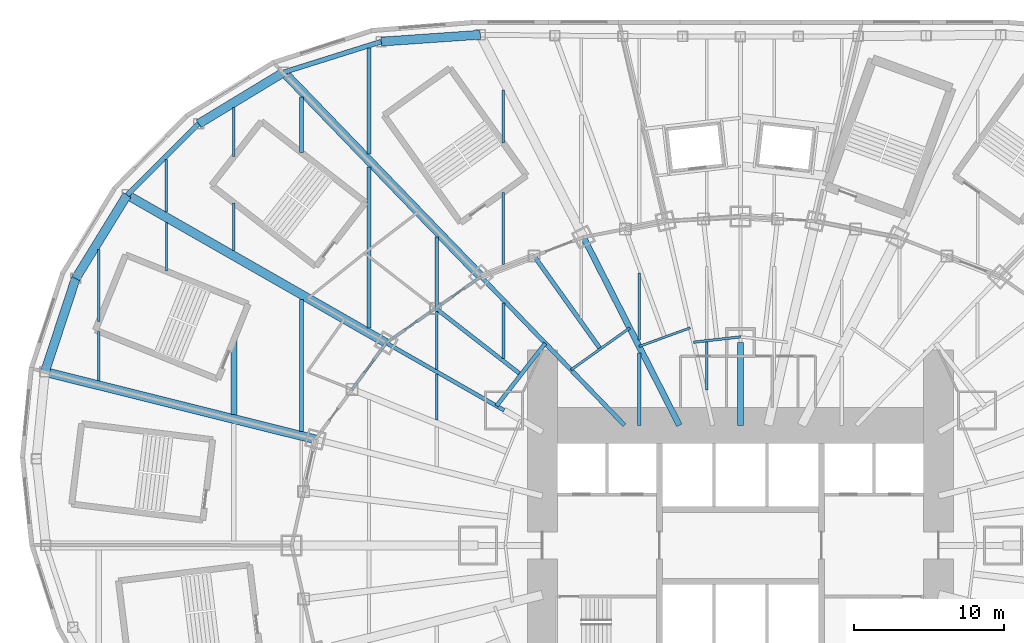
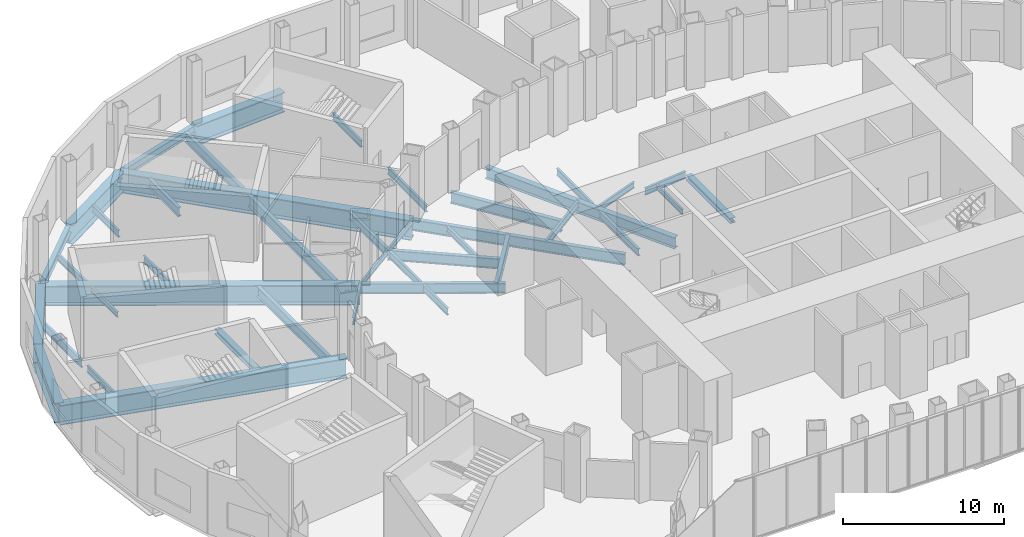
# One storey, part 6 of 73: 42 beams.
"""IFC4 building model written with IfcOpenShell, lengths in metres."""

from ifc_helpers import new_model, si_unit, direction, frame, origin, origin_2d, place, context, subcontext, project, spatial, i_section, extrude, material, material_profile, profile_set, type_object, element, save


model = new_model("IFC4")

# Units and contexts
model_context = context("Model", 3, precision=1e-05, world=origin(), true_north=direction((0.0, 1.0)))
body_context = subcontext(model_context, "Body", "Model", "MODEL_VIEW")
ifc_project = project(units=[si_unit("LENGTHUNIT", "METRE"), si_unit("AREAUNIT", "SQUARE_METRE"), si_unit("VOLUMEUNIT", "CUBIC_METRE"), si_unit("PLANEANGLEUNIT", "RADIAN"), si_unit("MASSUNIT", "GRAM", prefix="KILO")], contexts=[model_context])

# Site, building, storey
site_placement = place(None, origin())
site = spatial("IfcSite", under=ifc_project, at=site_placement, CompositionType="ELEMENT")
building_placement = place(site_placement, origin())
building = spatial("IfcBuilding", under=site, at=building_placement, Name="Lantaw Convention Tower", CompositionType="ELEMENT")
storey_placement = place(building_placement, frame((0.0, 0.0, 27.0)))
storey = spatial("IfcBuildingStorey", under=building, at=storey_placement, Name="L04", CompositionType="ELEMENT", Elevation=27.0)

# Beams
ifc_material_1 = material(Name="Steel ASTM A572 Grade 50", Category="steel")
ifc_material_profile_1 = material_profile(ifc_material_1, i_section(OverallWidth=0.60009765625, OverallDepth=1.5, WebThickness=0.02490234375, FlangeThickness=0.06005859375, at=origin_2d()), Name="PG1500X600X25X60")
ifc_profile_set_1 = profile_set([ifc_material_profile_1], Name="Steel ASTM A572 Grade 50")
beam_type_1 = type_object("IfcBeamType", Name="Beam E PG1500X600X25X60", PredefinedType="SPANDREL", material=ifc_profile_set_1)
beam_1_placement = place(storey_placement, frame((-17.333984375, 34.019775390625, -0.949951171875), z_axis=(-0.997615470709, -0.069017190627, 0.0), x_axis=(0.069017190627, -0.997615470709, 0.0)))
element("IfcBeam", 1, at=beam_1_placement, inside=storey, type_object=beam_type_1, Name="Podium edge beam R08", PredefinedType="SPANDREL", context=body_context, shape_type="SweptSolid", body=[
    extrude(i_section(OverallWidth=0.60009765625, OverallDepth=1.5, WebThickness=0.02490234375, FlangeThickness=0.06005859375, at=origin_2d()), origin(), (0.0, 0.0, 1.0), 6.6220703125),
])
beam_2_placement = place(storey_placement, frame((-30.43603515625, 31.517578125, -0.949951171875), z_axis=(-0.855269526547, -0.518183400893, 0.0), x_axis=(0.518183400893, -0.855269526547, 0.0)))
element("IfcBeam", 2, at=beam_2_placement, inside=storey, type_object=beam_type_1, Name="Podium edge beam R09", PredefinedType="SPANDREL", context=body_context, shape_type="SweptSolid", body=[
    extrude(i_section(OverallWidth=0.60009765625, OverallDepth=1.5, WebThickness=0.02490234375, FlangeThickness=0.06005859375, at=origin_2d()), origin(), (0.0, 0.0, 1.0), 6.63134765625),
])
beam_3_placement = place(storey_placement, frame((-40.864013671875, 23.350830078125, -0.949951171875), z_axis=(-0.524178644867, -0.851608330317, 0.0), x_axis=(0.851608330317, -0.524178644867, 0.0)))
element("IfcBeam", 3, at=beam_3_placement, inside=storey, type_object=beam_type_1, Name="Podium edge beam R10", PredefinedType="SPANDREL", context=body_context, shape_type="SweptSolid", body=[
    extrude(i_section(OverallWidth=0.60009765625, OverallDepth=1.5, WebThickness=0.02490234375, FlangeThickness=0.06005859375, at=origin_2d()), origin(), (0.0, 0.0, 1.0), 6.54052734375),
])
beam_4_placement = place(storey_placement, frame((-44.29248046875, 17.78076171875, -0.949951171875), z_axis=(-0.312739573604, -0.949838912186, 0.0), x_axis=(0.949838912186, -0.312739573604, 0.0)))
element("IfcBeam", 4, at=beam_4_placement, inside=storey, type_object=beam_type_1, Name="Podium edge beam B10", PredefinedType="SPANDREL", context=body_context, shape_type="SweptSolid", body=[
    extrude(i_section(OverallWidth=0.60009765625, OverallDepth=1.5, WebThickness=0.02490234375, FlangeThickness=0.06005859375, at=origin_2d()), origin(), (0.0, 0.0, 1.0), 6.55517578125),
])
ifc_material_2 = material(Name="Steel ASTM A992", Category="steel")
ifc_material_profile_2 = material_profile(ifc_material_2, i_section(OverallWidth=0.140380859375, OverallDepth=0.40380859375, WebThickness=0.007080078125, FlangeThickness=0.01123046875, FilletRadius=0.01025390625, at=origin_2d()), Name="W16X31")
ifc_profile_set_2 = profile_set([ifc_material_profile_2], Name="Steel ASTM A992")
beam_type_2 = type_object("IfcBeamType", Name="Beam E W16X31", PredefinedType="SPANDREL", material=ifc_profile_set_2)
beam_5_placement = place(storey_placement, frame((-17.290771484375, 17.9052734375, -0.40185546875), z_axis=(-0.819409395821, -0.573208724672, 0.0), x_axis=(0.573208724672, -0.819409395821, 0.0)))
element("IfcBeam", 5, at=beam_5_placement, inside=storey, type_object=beam_type_2, Name="Edge beam 10", PredefinedType="SPANDREL", context=body_context, shape_type="SweptSolid", body=[
    extrude(i_section(OverallWidth=0.140380859375, OverallDepth=0.40380859375, WebThickness=0.007080078125, FlangeThickness=0.01123046875, FilletRadius=0.01025390625, at=origin_2d()), origin(), (0.0, 0.0, 1.0), 3.682861328125),
])
beam_6_placement = place(storey_placement, frame((-20.30859375, 15.794189453125, -0.40185546875), z_axis=(-0.819442856133, -0.573160889744, 0.0), x_axis=(0.573160889744, -0.819442856133, 0.0)))
element("IfcBeam", 6, at=beam_6_placement, inside=storey, type_object=beam_type_2, Name="Edge beam 10", PredefinedType="SPANDREL", context=body_context, shape_type="SweptSolid", body=[
    extrude(i_section(OverallWidth=0.140380859375, OverallDepth=0.40380859375, WebThickness=0.007080078125, FlangeThickness=0.01123046875, FilletRadius=0.01025390625, at=origin_2d()), origin(), (0.0, 0.0, 1.0), 4.022705078125),
])
ifc_material_profile_3 = material_profile(ifc_material_2, i_section(OverallWidth=0.1650390625, OverallDepth=0.52587890625, WebThickness=0.0087890625, FlangeThickness=0.011474609375, FilletRadius=0.0126953125, at=origin_2d()), Name="W21X44")
ifc_profile_set_3 = profile_set([ifc_material_profile_3], Name="Steel ASTM A992")
beam_type_3 = type_object("IfcBeamType", Name="Beam E W21X44", PredefinedType="SPANDREL", material=ifc_profile_set_3)
beam_7_placement = place(storey_placement, frame((-23.60498046875, 13.488525390625, -0.462890625), z_axis=(-0.591286566758, -0.806461527893, 0.0), x_axis=(0.806461527893, -0.591286566758, 0.0)))
element("IfcBeam", 7, at=beam_7_placement, inside=storey, type_object=beam_type_3, Name="Edge beam 11", PredefinedType="SPANDREL", context=body_context, shape_type="SweptSolid", body=[
    extrude(i_section(OverallWidth=0.1650390625, OverallDepth=0.52587890625, WebThickness=0.0087890625, FlangeThickness=0.011474609375, FilletRadius=0.0126953125, at=origin_2d()), origin(), (0.0, 0.0, 1.0), 3.843994140625),
])
ifc_material_profile_4 = material_profile(ifc_material_2, i_section(OverallWidth=0.3251953125, OverallDepth=0.612060546875, WebThickness=0.0126953125, FlangeThickness=0.01904296875, FilletRadius=0.0126953125, at=origin_2d()), Name="W24X104")
ifc_profile_set_4 = profile_set([ifc_material_profile_4], Name="Steel ASTM A992")
beam_type_4 = type_object("IfcBeamType", Name="Beam E W24X104", PredefinedType="SPANDREL", material=ifc_profile_set_4)
beam_8_placement = place(storey_placement, frame((-23.940185546875, 33.562744140625, -0.506103515625), z_axis=(-0.953841834513, -0.300309431643, 0.0), x_axis=(0.300309431643, -0.953841834513, 0.0)))
element("IfcBeam", 8, at=beam_8_placement, inside=storey, type_object=beam_type_4, Name="Podium edge beam B08", PredefinedType="SPANDREL", context=body_context, shape_type="SweptSolid", body=[
    extrude(i_section(OverallWidth=0.3251953125, OverallDepth=0.612060546875, WebThickness=0.0126953125, FlangeThickness=0.01904296875, FilletRadius=0.0126953125, at=origin_2d()), origin(), (0.0, 0.0, 1.0), 6.810302734375),
])
beam_9_placement = place(storey_placement, frame((-36.107666015625, 28.081298828125, -0.506103515625), z_axis=(-0.709033046271, -0.705175254314, 0.0), x_axis=(0.705175254314, -0.709033046271, 0.0)))
element("IfcBeam", 9, at=beam_9_placement, inside=storey, type_object=beam_type_4, Name="Podium edge beam B09", PredefinedType="SPANDREL", context=body_context, shape_type="SweptSolid", body=[
    extrude(i_section(OverallWidth=0.3251953125, OverallDepth=0.612060546875, WebThickness=0.0126953125, FlangeThickness=0.01904296875, FilletRadius=0.0126953125, at=origin_2d()), origin(), (0.0, 0.0, 1.0), 6.708251953125),
])
ifc_material_profile_5 = material_profile(ifc_material_2, i_section(OverallWidth=0.2666015625, OverallDepth=0.76953125, WebThickness=0.015625, FlangeThickness=0.025390625, FilletRadius=0.0126953125, at=origin_2d()), Name="W30X132")
ifc_profile_set_5 = profile_set([ifc_material_profile_5], Name="Steel ASTM A992")
beam_type_5 = type_object("IfcBeamType", Name="Beam G W30X132", PredefinedType="BEAM", material=ifc_profile_set_5)
beam_10_placement = place(storey_placement, frame((-14.628173828125, 11.37646484375, -0.584716796875), z_axis=(-0.789377792374, 0.613907729961, 0.0), x_axis=(-0.613907729961, -0.789377792374, 0.0)))
element("IfcBeam", 10, at=beam_10_placement, inside=storey, type_object=beam_type_5, Name="Floor girder on bisector 10", PredefinedType="BEAM", context=body_context, shape_type="SweptSolid", body=[
    extrude(i_section(OverallWidth=0.2666015625, OverallDepth=0.76953125, WebThickness=0.015625, FlangeThickness=0.025390625, FilletRadius=0.0126953125, at=origin_2d()), origin(), (0.0, 0.0, 1.0), 7.196044921875),
])
beam_11_placement = place(storey_placement, frame((-15.75, 9.0, -0.584716796875), z_axis=(-0.868244802791, 0.496136032179, 0.0), x_axis=(-0.496136032179, -0.868244802791, 0.0)))
element("IfcBeam", 11, at=beam_11_placement, inside=storey, type_object=beam_type_5, Name="Floor girder on ray 11", PredefinedType="BEAM", context=body_context, shape_type="SweptSolid", body=[
    extrude(i_section(OverallWidth=0.2666015625, OverallDepth=0.76953125, WebThickness=0.015625, FlangeThickness=0.025390625, FilletRadius=0.0126953125, at=origin_2d()), origin(), (0.0, 0.0, 1.0), 9.046875),
])
ifc_material_profile_6 = material_profile(ifc_material_2, i_section(OverallWidth=0.2919921875, OverallDepth=0.845703125, WebThickness=0.015380859375, FlangeThickness=0.0244140625, FilletRadius=0.01513671875, at=origin_2d()), Name="W33X141")
ifc_profile_set_6 = profile_set([ifc_material_profile_6], Name="Steel ASTM A992")
beam_type_6 = type_object("IfcBeamType", Name="Beam G W33X141", PredefinedType="BEAM", material=ifc_profile_set_6)
beam_12_placement = place(storey_placement, frame((-9.335693359375, 13.088134765625, -0.622802734375), z_axis=(-0.580702805158, 0.814115625745, 0.0), x_axis=(-0.814115625745, -0.580702805158, 0.0)))
element("IfcBeam", 12, at=beam_12_placement, inside=storey, type_object=beam_type_6, Name="Floor girder on bisector 9", PredefinedType="BEAM", context=body_context, shape_type="SweptSolid", body=[
    extrude(i_section(OverallWidth=0.2919921875, OverallDepth=0.845703125, WebThickness=0.015380859375, FlangeThickness=0.0244140625, FilletRadius=0.01513671875, at=origin_2d()), origin(), (0.0, 0.0, 1.0), 7.59375),
])
beam_13_placement = place(storey_placement, frame((-7.7255859375, 8.0, -0.622802734375), z_axis=(-0.694649884291, 0.719347995239, 0.0), x_axis=(-0.719347995239, -0.694649884291, 0.0)))
element("IfcBeam", 13, at=beam_13_placement, inside=storey, type_object=beam_type_6, Name="Floor girder on ray 10", PredefinedType="BEAM", context=body_context, shape_type="SweptSolid", body=[
    extrude(i_section(OverallWidth=0.2919921875, OverallDepth=0.845703125, WebThickness=0.015380859375, FlangeThickness=0.0244140625, FilletRadius=0.01513671875, at=origin_2d()), origin(), (0.0, 0.0, 1.0), 13.769775390625),
])
ifc_material_profile_7 = material_profile(ifc_material_2, i_section(OverallWidth=0.398681640625, OverallDepth=0.85595703125, WebThickness=0.01806640625, FlangeThickness=0.029296875, FilletRadius=0.016357421875, at=origin_2d()), Name="W33X201")
ifc_profile_set_7 = profile_set([ifc_material_profile_7], Name="Steel ASTM A992")
beam_type_7 = type_object("IfcBeamType", Name="Beam G W33X201", PredefinedType="BEAM", material=ifc_profile_set_7)
beam_14_placement = place(storey_placement, frame((-4.076171875, 8.0, -0.6279296875), z_axis=(-0.453997016122, 0.891003203896, 0.0), x_axis=(-0.891003203896, -0.453997016122, 0.0)))
element("IfcBeam", 14, at=beam_14_placement, inside=storey, type_object=beam_type_7, Name="Floor girder on ray 9", PredefinedType="BEAM", context=body_context, shape_type="SweptSolid", body=[
    extrude(i_section(OverallWidth=0.398681640625, OverallDepth=0.85595703125, WebThickness=0.01806640625, FlangeThickness=0.029296875, FilletRadius=0.016357421875, at=origin_2d()), origin(), (0.0, 0.0, 1.0), 14.067138671875),
])
ifc_material_profile_8 = material_profile(ifc_material_2, i_section(OverallWidth=0.40380859375, OverallDepth=0.406494140625, WebThickness=0.027099609375, FlangeThickness=0.043701171875, FilletRadius=0.01513671875, at=origin_2d()), Name="W14X233")
ifc_profile_set_8 = profile_set([ifc_material_profile_8], Name="Steel ASTM A992")
beam_type_8 = type_object("IfcBeamType", Name="Beam GM W14X233", PredefinedType="BEAM", material=ifc_profile_set_8)
beam_15_placement = place(storey_placement, frame((0.0, 8.0, -0.4033203125), z_axis=(0.0, 1.0, 0.0), x_axis=(-1.0, 0.0, 0.0)))
element("IfcBeam", 15, at=beam_15_placement, inside=storey, type_object=beam_type_8, Name="Core link beam on ray 7", PredefinedType="BEAM", context=body_context, shape_type="SweptSolid", body=[
    extrude(i_section(OverallWidth=0.40380859375, OverallDepth=0.406494140625, WebThickness=0.027099609375, FlangeThickness=0.043701171875, FilletRadius=0.01513671875, at=origin_2d()), origin(), (0.0, 0.0, 1.0), 5.5),
])
ifc_material_profile_9 = material_profile(ifc_material_2, i_section(OverallWidth=0.15234375, OverallDepth=0.449462890625, WebThickness=0.007568359375, FlangeThickness=0.0107421875, FilletRadius=0.01025390625, at=origin_2d()), Name="W18X35")
ifc_profile_set_9 = profile_set([ifc_material_profile_9], Name="Steel ASTM A992")
beam_type_9 = type_object("IfcBeamType", Name="Beam HC W18X35", PredefinedType="BEAM", material=ifc_profile_set_9)
beam_16_placement = place(storey_placement, frame((-3.345947265625, 14.4931640625, -0.4248046875), z_axis=(-0.939689171859, -0.342029619025, 0.0), x_axis=(0.342029619025, -0.939689171859, 0.0)))
element("IfcBeam", 16, at=beam_16_placement, inside=storey, type_object=beam_type_9, Name="Collar beam on bisector 8", PredefinedType="BEAM", context=body_context, shape_type="SweptSolid", body=[
    extrude(i_section(OverallWidth=0.15234375, OverallDepth=0.449462890625, WebThickness=0.007568359375, FlangeThickness=0.0107421875, FilletRadius=0.01025390625, at=origin_2d()), origin(), (0.0, 0.0, 1.0), 3.62548828125),
])
ifc_material_profile_10 = material_profile(ifc_material_2, i_section(OverallWidth=0.1650390625, OverallDepth=0.52587890625, WebThickness=0.0087890625, FlangeThickness=0.011474609375, FilletRadius=0.0126953125, at=origin_2d()), Name="W21X44")
ifc_profile_set_10 = profile_set([ifc_material_profile_10], Name="Steel ASTM A992")
beam_type_10 = type_object("IfcBeamType", Name="Beam HC W21X44", PredefinedType="BEAM", material=ifc_profile_set_10)
beam_17_placement = place(storey_placement, frame((-7.379638671875, 14.4833984375, -0.462890625), z_axis=(-0.814110909588, -0.580709416912, 0.0), x_axis=(0.580709416912, -0.814110909588, 0.0)))
element("IfcBeam", 17, at=beam_17_placement, inside=storey, type_object=beam_type_10, Name="Collar beam on bisector 9", PredefinedType="BEAM", context=body_context, shape_type="SweptSolid", body=[
    extrude(i_section(OverallWidth=0.1650390625, OverallDepth=0.52587890625, WebThickness=0.0087890625, FlangeThickness=0.011474609375, FilletRadius=0.0126953125, at=origin_2d()), origin(), (0.0, 0.0, 1.0), 4.805419921875),
])
ifc_material_profile_11 = material_profile(ifc_material_2, i_section(OverallWidth=0.165771484375, OverallDepth=0.5283203125, WebThickness=0.009765625, FlangeThickness=0.013671875, FilletRadius=0.012939453125, at=origin_2d()), Name="W21X50")
ifc_profile_set_11 = profile_set([ifc_material_profile_11], Name="Steel ASTM A992")
beam_type_11 = type_object("IfcBeamType", Name="Beam HC W21X50", PredefinedType="BEAM", material=ifc_profile_set_11)
beam_18_placement = place(storey_placement, frame((0.0, 13.89111328125, -0.464111328125), z_axis=(-0.99356540907, -0.113259780595, 0.0), x_axis=(0.113259780595, -0.99356540907, 0.0)))
element("IfcBeam", 18, at=beam_18_placement, inside=storey, type_object=beam_type_11, Name="Collar beam on bisector 7", PredefinedType="BEAM", context=body_context, shape_type="SweptSolid", body=[
    extrude(i_section(OverallWidth=0.165771484375, OverallDepth=0.5283203125, WebThickness=0.009765625, FlangeThickness=0.013671875, FilletRadius=0.012939453125, at=origin_2d()), origin(), (0.0, 0.0, 1.0), 3.14501953125),
])
ifc_material_profile_12 = material_profile(ifc_material_2, i_section(OverallWidth=0.2666015625, OverallDepth=0.76953125, WebThickness=0.015625, FlangeThickness=0.025390625, FilletRadius=0.0126953125, at=origin_2d()), Name="W30X132")
ifc_profile_set_12 = profile_set([ifc_material_profile_12], Name="Steel ASTM A992")
beam_type_12 = type_object("IfcBeamType", Name="Beam HC W30X132", PredefinedType="BEAM", material=ifc_profile_set_12)
beam_19_placement = place(storey_placement, frame((-13.00341796875, 13.465576171875, -0.584716796875), z_axis=(-0.613915067401, -0.789372085913, 0.0), x_axis=(0.789372085913, -0.613915067401, 0.0)))
element("IfcBeam", 19, at=beam_19_placement, inside=storey, type_object=beam_type_12, Name="Collar beam on bisector 10", PredefinedType="BEAM", context=body_context, shape_type="SweptSolid", body=[
    extrude(i_section(OverallWidth=0.2666015625, OverallDepth=0.76953125, WebThickness=0.015625, FlangeThickness=0.025390625, FilletRadius=0.0126953125, at=origin_2d()), origin(), (0.0, 0.0, 1.0), 5.293212890625),
])
ifc_material_profile_13 = material_profile(ifc_material_2, i_section(OverallWidth=0.40380859375, OverallDepth=0.406494140625, WebThickness=0.027099609375, FlangeThickness=0.043701171875, FilletRadius=0.01513671875, at=origin_2d()), Name="W14X233")
ifc_profile_set_13 = profile_set([ifc_material_profile_13], Name="Steel ASTM A992")
beam_type_13 = type_object("IfcBeamType", Name="Beam J W14X233", PredefinedType="JOIST", material=ifc_profile_set_13)
beam_20_placement = place(storey_placement, frame((-33.75, 8.72412109375, -0.4033203125), z_axis=(0.0, 1.0, 0.0), x_axis=(-1.0, 0.0, 0.0)))
element("IfcBeam", 20, at=beam_20_placement, inside=storey, type_object=beam_type_13, Name="Floor joist", PredefinedType="JOIST", context=body_context, shape_type="SweptSolid", body=[
    extrude(i_section(OverallWidth=0.40380859375, OverallDepth=0.406494140625, WebThickness=0.027099609375, FlangeThickness=0.043701171875, FilletRadius=0.01513671875, at=origin_2d()), origin(), (0.0, 0.0, 1.0), 4.986328125),
])
ifc_material_profile_14 = material_profile(ifc_material_2, i_section(OverallWidth=0.140380859375, OverallDepth=0.40380859375, WebThickness=0.007080078125, FlangeThickness=0.01123046875, FilletRadius=0.01025390625, at=origin_2d()), Name="W16X31")
ifc_profile_set_14 = profile_set([ifc_material_profile_14], Name="Steel ASTM A992")
beam_type_14 = type_object("IfcBeamType", Name="Beam J W16X31", PredefinedType="JOIST", material=ifc_profile_set_14)
beam_21_placement = place(storey_placement, frame((-38.25, 18.264404296875, -0.40185546875), z_axis=(0.0, 1.0, 0.0), x_axis=(-1.0, 0.0, 0.0)))
element("IfcBeam", 21, at=beam_21_placement, inside=storey, type_object=beam_type_14, Name="Floor joist", PredefinedType="JOIST", context=body_context, shape_type="SweptSolid", body=[
    extrude(i_section(OverallWidth=0.140380859375, OverallDepth=0.40380859375, WebThickness=0.007080078125, FlangeThickness=0.01123046875, FilletRadius=0.01025390625, at=origin_2d()), origin(), (0.0, 0.0, 1.0), 3.247314453125),
])
beam_22_placement = place(storey_placement, frame((-2.25, 10.338623046875, -0.40185546875), z_axis=(0.0, 1.0, 0.0), x_axis=(-1.0, 0.0, 0.0)))
element("IfcBeam", 22, at=beam_22_placement, inside=storey, type_object=beam_type_14, Name="Floor joist", PredefinedType="JOIST", context=body_context, shape_type="SweptSolid", body=[
    extrude(i_section(OverallWidth=0.140380859375, OverallDepth=0.40380859375, WebThickness=0.007080078125, FlangeThickness=0.01123046875, FilletRadius=0.01025390625, at=origin_2d()), origin(), (0.0, 0.0, 1.0), 3.212646484375),
])
ifc_material_profile_15 = material_profile(ifc_material_2, i_section(OverallWidth=0.1904296875, OverallDepth=0.457275390625, WebThickness=0.009033203125, FlangeThickness=0.014404296875, FilletRadius=0.01025390625, at=origin_2d()), Name="W18X50")
ifc_profile_set_15 = profile_set([ifc_material_profile_15], Name="Steel ASTM A992")
beam_type_15 = type_object("IfcBeamType", Name="Beam J W18X50", PredefinedType="JOIST", material=ifc_profile_set_15)
beam_23_placement = place(storey_placement, frame((-15.800048828125, 12.456787109375, -0.4287109375), z_axis=(0.0, 1.0, 0.0), x_axis=(-1.0, 0.0, 0.0)))
element("IfcBeam", 23, at=beam_23_placement, inside=storey, type_object=beam_type_15, Name="Floor joist", PredefinedType="JOIST", context=body_context, shape_type="SweptSolid", body=[
    extrude(i_section(OverallWidth=0.1904296875, OverallDepth=0.457275390625, WebThickness=0.009033203125, FlangeThickness=0.014404296875, FilletRadius=0.01025390625, at=origin_2d()), origin(), (0.0, 0.0, 1.0), 3.6943359375),
])
ifc_material_profile_16 = material_profile(ifc_material_2, i_section(OverallWidth=0.1650390625, OverallDepth=0.52587890625, WebThickness=0.0087890625, FlangeThickness=0.011474609375, FilletRadius=0.0126953125, at=origin_2d()), Name="W21X44")
ifc_profile_set_16 = profile_set([ifc_material_profile_16], Name="Steel ASTM A992")
beam_type_16 = type_object("IfcBeamType", Name="Beam J W21X44", PredefinedType="JOIST", material=ifc_profile_set_16)
beam_24_placement = place(storey_placement, frame((-42.75, 10.968017578125, -0.462890625), z_axis=(0.0, 1.0, 0.0), x_axis=(-1.0, 0.0, 0.0)))
element("IfcBeam", 24, at=beam_24_placement, inside=storey, type_object=beam_type_16, Name="Floor joist", PredefinedType="JOIST", context=body_context, shape_type="SweptSolid", body=[
    extrude(i_section(OverallWidth=0.1650390625, OverallDepth=0.52587890625, WebThickness=0.0087890625, FlangeThickness=0.011474609375, FilletRadius=0.0126953125, at=origin_2d()), origin(), (0.0, 0.0, 1.0), 3.2841796875),
])
beam_25_placement = place(storey_placement, frame((-38.25, 22.20263671875, -0.462890625), z_axis=(0.0, 1.0, 0.0), x_axis=(-1.0, 0.0, 0.0)))
element("IfcBeam", 25, at=beam_25_placement, inside=storey, type_object=beam_type_16, Name="Floor joist", PredefinedType="JOIST", context=body_context, shape_type="SweptSolid", body=[
    extrude(i_section(OverallWidth=0.1650390625, OverallDepth=0.52587890625, WebThickness=0.0087890625, FlangeThickness=0.011474609375, FilletRadius=0.0126953125, at=origin_2d()), origin(), (0.0, 0.0, 1.0), 3.518798828125),
])
beam_26_placement = place(storey_placement, frame((-33.75, 19.63134765625, -0.462890625), z_axis=(0.0, 1.0, 0.0), x_axis=(-1.0, 0.0, 0.0)))
element("IfcBeam", 26, at=beam_26_placement, inside=storey, type_object=beam_type_16, Name="Floor joist", PredefinedType="JOIST", context=body_context, shape_type="SweptSolid", body=[
    extrude(i_section(OverallWidth=0.1650390625, OverallDepth=0.52587890625, WebThickness=0.0087890625, FlangeThickness=0.011474609375, FilletRadius=0.0126953125, at=origin_2d()), origin(), (0.0, 0.0, 1.0), 3.19580078125),
])
beam_27_placement = place(storey_placement, frame((-33.75, 25.900390625, -0.462890625), z_axis=(0.0, 1.0, 0.0), x_axis=(-1.0, 0.0, 0.0)))
element("IfcBeam", 27, at=beam_27_placement, inside=storey, type_object=beam_type_16, Name="Floor joist", PredefinedType="JOIST", context=body_context, shape_type="SweptSolid", body=[
    extrude(i_section(OverallWidth=0.1650390625, OverallDepth=0.52587890625, WebThickness=0.0087890625, FlangeThickness=0.011474609375, FilletRadius=0.0126953125, at=origin_2d()), origin(), (0.0, 0.0, 1.0), 3.258544921875),
])
beam_28_placement = place(storey_placement, frame((-20.25, 8.3564453125, -0.462890625), z_axis=(0.0, 1.0, 0.0), x_axis=(-1.0, 0.0, 0.0)))
element("IfcBeam", 28, at=beam_28_placement, inside=storey, type_object=beam_type_16, Name="Floor joist", PredefinedType="JOIST", context=body_context, shape_type="SweptSolid", body=[
    extrude(i_section(OverallWidth=0.1650390625, OverallDepth=0.52587890625, WebThickness=0.0087890625, FlangeThickness=0.011474609375, FilletRadius=0.0126953125, at=origin_2d()), origin(), (0.0, 0.0, 1.0), 3.0615234375),
])
beam_29_placement = place(storey_placement, frame((-6.75, 13.693359375, -0.462890625), z_axis=(0.0, 1.0, 0.0), x_axis=(-1.0, 0.0, 0.0)))
element("IfcBeam", 29, at=beam_29_placement, inside=storey, type_object=beam_type_16, Name="Floor joist", PredefinedType="JOIST", context=body_context, shape_type="SweptSolid", body=[
    extrude(i_section(OverallWidth=0.1650390625, OverallDepth=0.52587890625, WebThickness=0.0087890625, FlangeThickness=0.011474609375, FilletRadius=0.0126953125, at=origin_2d()), origin(), (0.0, 0.0, 1.0), 4.462158203125),
])
ifc_material_profile_17 = material_profile(ifc_material_2, i_section(OverallWidth=0.165771484375, OverallDepth=0.5283203125, WebThickness=0.009765625, FlangeThickness=0.013671875, FilletRadius=0.012939453125, at=origin_2d()), Name="W21X50")
ifc_profile_set_17 = profile_set([ifc_material_profile_17], Name="Steel ASTM A992")
beam_type_17 = type_object("IfcBeamType", Name="Beam J W21X50", PredefinedType="JOIST", material=ifc_profile_set_17)
beam_30_placement = place(storey_placement, frame((-15.800048828125, 18.702392578125, -0.464111328125), z_axis=(0.0, 1.0, 0.0), x_axis=(-1.0, 0.0, 0.0)))
element("IfcBeam", 30, at=beam_30_placement, inside=storey, type_object=beam_type_17, Name="Floor joist", PredefinedType="JOIST", context=body_context, shape_type="SweptSolid", body=[
    extrude(i_section(OverallWidth=0.165771484375, OverallDepth=0.5283203125, WebThickness=0.009765625, FlangeThickness=0.013671875, FilletRadius=0.012939453125, at=origin_2d()), origin(), (0.0, 0.0, 1.0), 4.8212890625),
])
beam_31_placement = place(storey_placement, frame((-15.800048828125, 26.80029296875, -0.464111328125), z_axis=(0.0, 1.0, 0.0), x_axis=(-1.0, 0.0, 0.0)))
element("IfcBeam", 31, at=beam_31_placement, inside=storey, type_object=beam_type_17, Name="Floor joist", PredefinedType="JOIST", context=body_context, shape_type="SweptSolid", body=[
    extrude(i_section(OverallWidth=0.165771484375, OverallDepth=0.5283203125, WebThickness=0.009765625, FlangeThickness=0.013671875, FilletRadius=0.012939453125, at=origin_2d()), origin(), (0.0, 0.0, 1.0), 3.548095703125),
])
ifc_material_profile_18 = material_profile(ifc_material_2, i_section(OverallWidth=0.16650390625, OverallDepth=0.535888671875, WebThickness=0.01025390625, FlangeThickness=0.0166015625, FilletRadius=0.0126953125, at=origin_2d()), Name="W21X57")
ifc_profile_set_18 = profile_set([ifc_material_profile_18], Name="Steel ASTM A992")
beam_type_18 = type_object("IfcBeamType", Name="Beam J W21X57", PredefinedType="JOIST", material=ifc_profile_set_18)
beam_32_placement = place(storey_placement, frame((-20.25, 11.72509765625, -0.468017578125), z_axis=(0.0, 1.0, 0.0), x_axis=(-1.0, 0.0, 0.0)))
element("IfcBeam", 32, at=beam_32_placement, inside=storey, type_object=beam_type_18, Name="Floor joist", PredefinedType="JOIST", context=body_context, shape_type="SweptSolid", body=[
    extrude(i_section(OverallWidth=0.16650390625, OverallDepth=0.535888671875, WebThickness=0.01025390625, FlangeThickness=0.0166015625, FilletRadius=0.0126953125, at=origin_2d()), origin(), (0.0, 0.0, 1.0), 3.8544921875),
])
ifc_material_profile_19 = material_profile(ifc_material_2, i_section(OverallWidth=0.2099609375, OverallDepth=0.535888671875, WebThickness=0.010986328125, FlangeThickness=0.017333984375, FilletRadius=0.012939453125, at=origin_2d()), Name="W21X68")
ifc_profile_set_19 = profile_set([ifc_material_profile_19], Name="Steel ASTM A992")
beam_type_19 = type_object("IfcBeamType", Name="Beam J W21X68", PredefinedType="JOIST", material=ifc_profile_set_19)
beam_33_placement = place(storey_placement, frame((-6.75, 8.0, -0.468017578125), z_axis=(0.0, 1.0, 0.0), x_axis=(-1.0, 0.0, 0.0)))
element("IfcBeam", 33, at=beam_33_placement, inside=storey, type_object=beam_type_19, Name="Floor joist", PredefinedType="JOIST", context=body_context, shape_type="SweptSolid", body=[
    extrude(i_section(OverallWidth=0.2099609375, OverallDepth=0.535888671875, WebThickness=0.010986328125, FlangeThickness=0.017333984375, FilletRadius=0.012939453125, at=origin_2d()), origin(), (0.0, 0.0, 1.0), 4.808349609375),
])
ifc_material_profile_20 = material_profile(ifc_material_2, i_section(OverallWidth=0.177978515625, OverallDepth=0.599365234375, WebThickness=0.010009765625, FlangeThickness=0.012939453125, FilletRadius=0.012939453125, at=origin_2d()), Name="W24X55")
ifc_profile_set_20 = profile_set([ifc_material_profile_20], Name="Steel ASTM A992")
beam_type_20 = type_object("IfcBeamType", Name="Beam J W24X55", PredefinedType="JOIST", material=ifc_profile_set_20)
beam_34_placement = place(storey_placement, frame((-42.75, 14.91259765625, -0.499755859375), z_axis=(0.0, 1.0, 0.0), x_axis=(-1.0, 0.0, 0.0)))
element("IfcBeam", 34, at=beam_34_placement, inside=storey, type_object=beam_type_20, Name="Floor joist", PredefinedType="JOIST", context=body_context, shape_type="SweptSolid", body=[
    extrude(i_section(OverallWidth=0.177978515625, OverallDepth=0.599365234375, WebThickness=0.010009765625, FlangeThickness=0.012939453125, FilletRadius=0.012939453125, at=origin_2d()), origin(), (0.0, 0.0, 1.0), 4.8017578125),
])
ifc_material_profile_21 = material_profile(ifc_material_2, i_section(OverallWidth=0.22900390625, OverallDepth=0.612060546875, WebThickness=0.011962890625, FlangeThickness=0.01953125, FilletRadius=0.0126953125, at=origin_2d()), Name="W24X84")
ifc_profile_set_21 = profile_set([ifc_material_profile_21], Name="Steel ASTM A992")
beam_type_21 = type_object("IfcBeamType", Name="Beam J W24X84", PredefinedType="JOIST", material=ifc_profile_set_21)
beam_35_placement = place(storey_placement, frame((-20.25, 15.9208984375, -0.506103515625), z_axis=(0.0, 1.0, 0.0), x_axis=(-1.0, 0.0, 0.0)))
element("IfcBeam", 35, at=beam_35_placement, inside=storey, type_object=beam_type_21, Name="Floor joist", PredefinedType="JOIST", context=body_context, shape_type="SweptSolid", body=[
    extrude(i_section(OverallWidth=0.22900390625, OverallDepth=0.612060546875, WebThickness=0.011962890625, FlangeThickness=0.01953125, FilletRadius=0.0126953125, at=origin_2d()), origin(), (0.0, 0.0, 1.0), 4.61669921875),
])
ifc_material_profile_22 = material_profile(ifc_material_2, i_section(OverallWidth=0.25390625, OverallDepth=0.683349609375, WebThickness=0.012451171875, FlangeThickness=0.01904296875, FilletRadius=0.01513671875, at=origin_2d()), Name="W27X94")
ifc_profile_set_22 = profile_set([ifc_material_profile_22], Name="Steel ASTM A992")
beam_type_22 = type_object("IfcBeamType", Name="Beam J W27X94", PredefinedType="JOIST", material=ifc_profile_set_22)
beam_36_placement = place(storey_placement, frame((-29.25, 26.16845703125, -0.541748046875), z_axis=(0.0, 1.0, 0.0), x_axis=(-1.0, 0.0, 0.0)))
element("IfcBeam", 36, at=beam_36_placement, inside=storey, type_object=beam_type_22, Name="Floor joist", PredefinedType="JOIST", context=body_context, shape_type="SweptSolid", body=[
    extrude(i_section(OverallWidth=0.25390625, OverallDepth=0.683349609375, WebThickness=0.012451171875, FlangeThickness=0.01904296875, FilletRadius=0.01513671875, at=origin_2d()), origin(), (0.0, 0.0, 1.0), 3.68896484375),
])
ifc_material_profile_23 = material_profile(ifc_material_2, i_section(OverallWidth=0.2666015625, OverallDepth=0.7568359375, WebThickness=0.013916015625, FlangeThickness=0.019287109375, FilletRadius=0.0126953125, at=origin_2d()), Name="W30X108")
ifc_profile_set_23 = profile_set([ifc_material_profile_23], Name="Steel ASTM A992")
beam_type_23 = type_object("IfcBeamType", Name="Beam J W30X108", PredefinedType="JOIST", material=ifc_profile_set_23)
beam_37_placement = place(storey_placement, frame((-29.25, 7.60205078125, -0.578369140625), z_axis=(0.0, 1.0, 0.0), x_axis=(-1.0, 0.0, 0.0)))
element("IfcBeam", 37, at=beam_37_placement, inside=storey, type_object=beam_type_23, Name="Floor joist", PredefinedType="JOIST", context=body_context, shape_type="SweptSolid", body=[
    extrude(i_section(OverallWidth=0.2666015625, OverallDepth=0.7568359375, WebThickness=0.013916015625, FlangeThickness=0.019287109375, FilletRadius=0.0126953125, at=origin_2d()), origin(), (0.0, 0.0, 1.0), 8.7666015625),
])
beam_38_placement = place(storey_placement, frame((-24.75, 26.061279296875, -0.578369140625), z_axis=(0.0, 1.0, 0.0), x_axis=(-1.0, 0.0, 0.0)))
element("IfcBeam", 38, at=beam_38_placement, inside=storey, type_object=beam_type_23, Name="Floor joist", PredefinedType="JOIST", context=body_context, shape_type="SweptSolid", body=[
    extrude(i_section(OverallWidth=0.2666015625, OverallDepth=0.7568359375, WebThickness=0.013916015625, FlangeThickness=0.019287109375, FilletRadius=0.0126953125, at=origin_2d()), origin(), (0.0, 0.0, 1.0), 7.076171875),
])
ifc_material_profile_24 = material_profile(ifc_material_2, i_section(OverallWidth=0.2919921875, OverallDepth=0.845703125, WebThickness=0.015380859375, FlangeThickness=0.0244140625, FilletRadius=0.01513671875, at=origin_2d()), Name="W33X141")
ifc_profile_set_24 = profile_set([ifc_material_profile_24], Name="Steel ASTM A992")
beam_type_24 = type_object("IfcBeamType", Name="Beam J W33X141", PredefinedType="JOIST", material=ifc_profile_set_24)
beam_39_placement = place(storey_placement, frame((-24.75, 14.48828125, -0.622802734375), z_axis=(0.0, 1.0, 0.0), x_axis=(-1.0, 0.0, 0.0)))
element("IfcBeam", 39, at=beam_39_placement, inside=storey, type_object=beam_type_24, Name="Floor joist", PredefinedType="JOIST", context=body_context, shape_type="SweptSolid", body=[
    extrude(i_section(OverallWidth=0.2919921875, OverallDepth=0.845703125, WebThickness=0.015380859375, FlangeThickness=0.0244140625, FilletRadius=0.01513671875, at=origin_2d()), origin(), (0.0, 0.0, 1.0), 10.709228515625),
])
ifc_material_profile_25 = material_profile(ifc_material_1, i_section(OverallWidth=0.60009765625, OverallDepth=1.5, WebThickness=0.02490234375, FlangeThickness=0.06005859375, at=origin_2d()), Name="PG1500X600X25X60")
ifc_profile_set_25 = profile_set([ifc_material_profile_25], Name="Steel ASTM A572 Grade 50")
beam_type_25 = type_object("IfcBeamType", Name="Beam PG PG1500X600X25X60", PredefinedType="BEAM", material=ifc_profile_set_25)
beam_40_placement = place(storey_placement, frame((-17.290771484375, 17.9052734375, -0.949951171875), z_axis=(-0.694658748795, 0.719339434984, 0.0), x_axis=(-0.719339434984, -0.694658748795, 0.0)))
element("IfcBeam", 40, at=beam_40_placement, inside=storey, type_object=beam_type_25, Name="Podium girder PR10", PredefinedType="BEAM", context=body_context, shape_type="SweptSolid", body=[
    extrude(i_section(OverallWidth=0.60009765625, OverallDepth=1.5, WebThickness=0.02490234375, FlangeThickness=0.06005859375, at=origin_2d()), origin(), (0.0, 0.0, 1.0), 18.92333984375),
])
beam_41_placement = place(storey_placement, frame((-23.60498046875, 13.488525390625, -0.949951171875), z_axis=(-0.868243142124, 0.496138938357, 0.0), x_axis=(-0.496138938357, -0.868243142124, 0.0)))
element("IfcBeam", 41, at=beam_41_placement, inside=storey, type_object=beam_type_25, Name="Podium girder PR11", PredefinedType="BEAM", context=body_context, shape_type="SweptSolid", body=[
    extrude(i_section(OverallWidth=0.60009765625, OverallDepth=1.5, WebThickness=0.02490234375, FlangeThickness=0.06005859375, at=origin_2d()), origin(), (0.0, 0.0, 1.0), 19.878173828125),
])
beam_42_placement = place(storey_placement, frame((-28.31787109375, 7.060302734375, -0.949951171875), z_axis=(-0.970294606785, 0.24192638559, 0.0), x_axis=(-0.24192638559, -0.970294606785, 0.0)))
element("IfcBeam", 42, at=beam_42_placement, inside=storey, type_object=beam_type_25, Name="Podium girder PR12", PredefinedType="BEAM", context=body_context, shape_type="SweptSolid", body=[
    extrude(i_section(OverallWidth=0.60009765625, OverallDepth=1.5, WebThickness=0.02490234375, FlangeThickness=0.06005859375, at=origin_2d()), origin(), (0.0, 0.0, 1.0), 18.576416015625),
])

save(model, "model.ifc")
